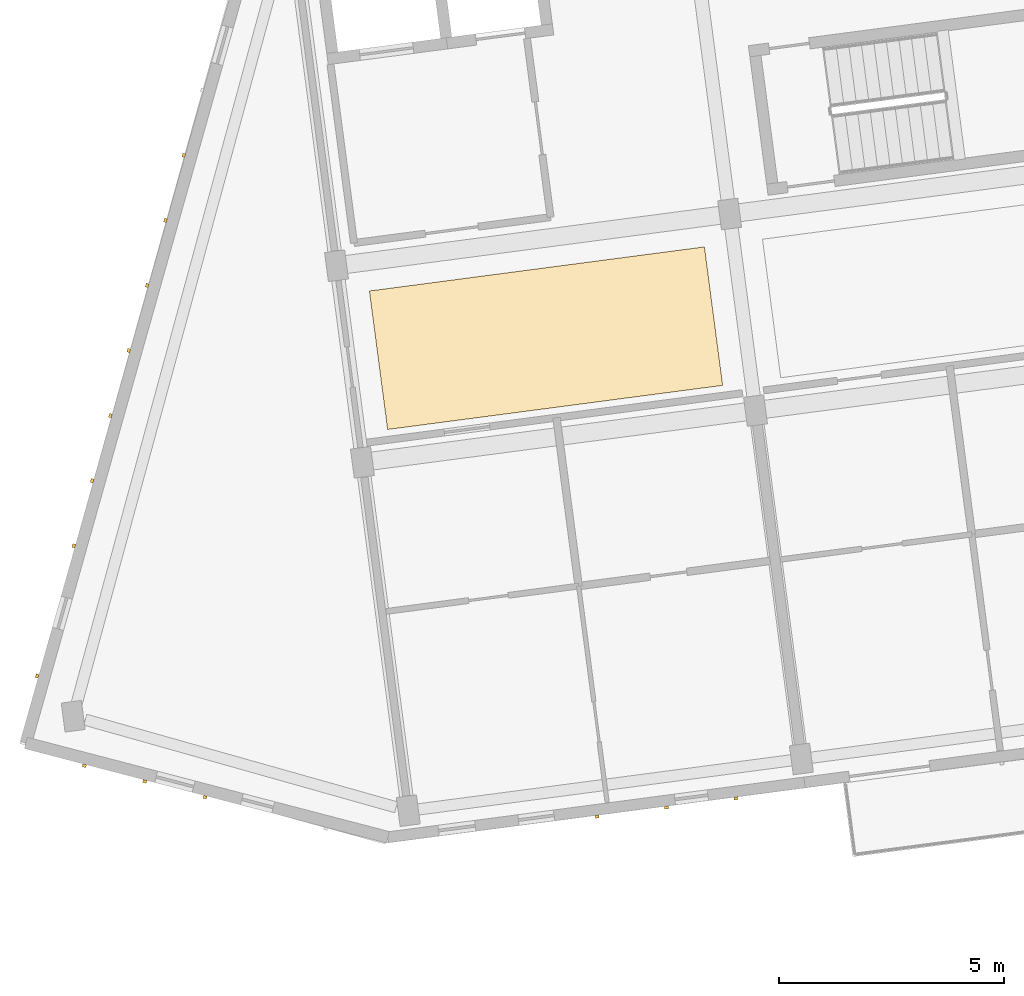
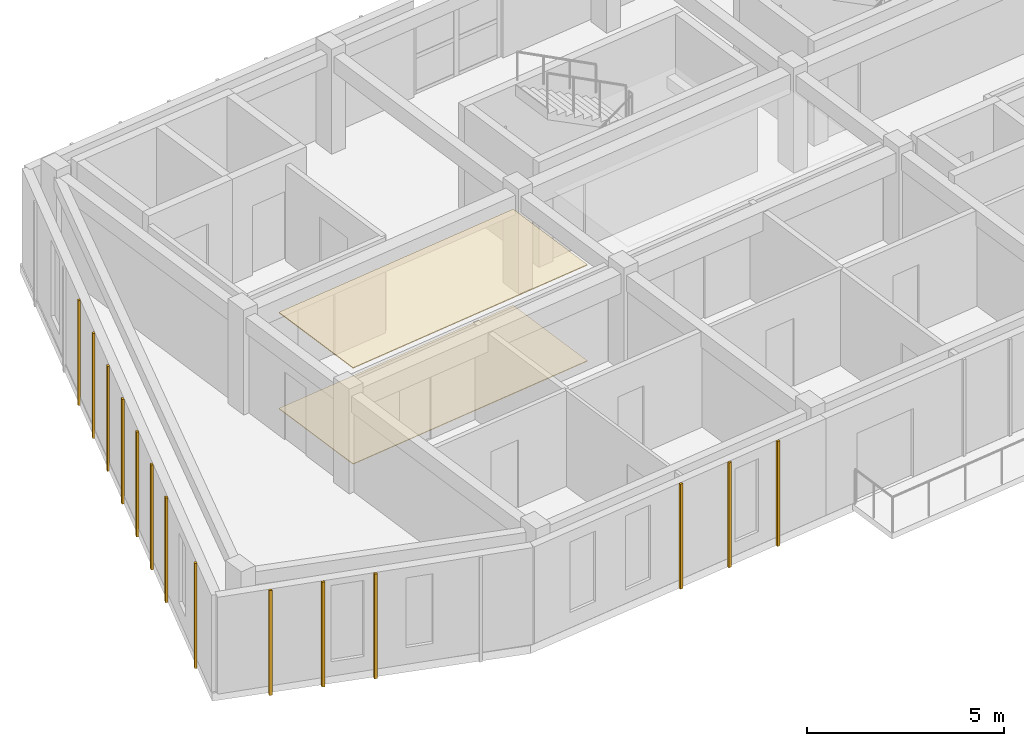
# One storey, part 31 of 45: 16 coverings.
"""IFC4 building model written with IfcOpenShell, lengths in metres."""

from ifc_helpers import new_model, si_unit, direction, frame, origin, origin_2d, place, context, subcontext, project, spatial, polyline, rectangle, outline, extrude, material, layer, layer_set, type_object, element, save


model = new_model("IFC4")

# Units and contexts
model_context = context("Model", 3, precision=1e-05, world=origin(), true_north=direction((0.0, 1.0)))
body_context = subcontext(model_context, "Body", "Model", "MODEL_VIEW")
ifc_project = project(units=[si_unit("LENGTHUNIT", "METRE"), si_unit("AREAUNIT", "SQUARE_METRE"), si_unit("VOLUMEUNIT", "CUBIC_METRE"), si_unit("PLANEANGLEUNIT", "RADIAN"), si_unit("MASSUNIT", "GRAM", prefix="KILO")], contexts=[model_context])

# Site, building, storey
site_placement = place(None, origin())
site = spatial("IfcSite", under=ifc_project, at=site_placement, CompositionType="ELEMENT")
building_placement = place(site_placement, origin())
building = spatial("IfcBuilding", under=site, at=building_placement, Name="Kestramere Prow Commons", CompositionType="ELEMENT")
storey_placement = place(building_placement, frame((0.0, 0.0, 31.14990234375)))
storey = spatial("IfcBuildingStorey", under=building, at=storey_placement, Name="L09", CompositionType="ELEMENT", Elevation=31.14990234375)

# Coverings
ifc_material_1 = material(Name="Mineral Fibre Acoustic Ceiling Tile")
ifc_layer_1 = layer(ifc_material_1, 0.02490234375)
ifc_layer_set_1 = layer_set([ifc_layer_1], Name="Mineral Fibre Acoustic Ceiling Tile")
covering_type_1 = type_object("IfcCoveringType", Name="COV-CEIL-ACOUSTIC", PredefinedType="CEILING", material=ifc_layer_set_1)
covering_1_placement = place(storey_placement, frame((0.0, 0.0, 2.97509765625)))
element("IfcCovering", 1, at=covering_1_placement, inside=storey, type_object=covering_type_1, Name="Block A L09 Corridor Acoustic Ceiling 1", PredefinedType="CEILING", context=body_context, shape_type="SweptSolid", body=[
    extrude(outline(polyline([(10.741455078125, 80.462646484375), (18.17724609375, 81.44140625), (17.772705078125, 84.514892578125), (10.3369140625, 83.5361328125), (10.741455078125, 80.462646484375)])), origin(), (0.0, 0.0, 1.0), 0.02490234375),
])
ifc_material_2 = material(Name="Weathered Zinc-Titanium Standing-Seam Cladding")
ifc_layer_2 = layer(ifc_material_2, 0.074951171875)
ifc_layer_set_2 = layer_set([ifc_layer_2], Name="Weathered Zinc-Titanium Standing-Seam Cladding")
covering_type_2 = type_object("IfcCoveringType", Name="COV-CLAD-SEAM", PredefinedType="CLADDING", material=ifc_layer_set_2)
for number, where, z_axis, x_axis, name in (
    (2, (18.47216796875, 72.274169921875, -0.25), (0.0, 0.0, 1.0), (-0.991444861374, -0.13052619222, 0.0), "EW-A-L09-S-0 Standing-Seam Rib 1"),
    (3, (16.931396484375, 72.0712890625, -0.25), (0.0, 0.0, 1.0), (-0.991444861374, -0.13052619222, 0.0), "EW-A-L09-S-0 Standing-Seam Rib 2"),
    (4, (15.390625, 71.868408203125, -0.25), (0.0, 0.0, 1.0), (-0.991444861374, -0.13052619222, 0.0), "EW-A-L09-S-0 Standing-Seam Rib 3"),
    (5, (6.6884765625, 72.300537109375, -0.25), (0.0, 0.0, 1.0), (-0.96769817096, 0.252111582281, 0.0), "EW-A-L09-PRW-S Standing-Seam Rib 3"),
    (6, (5.34912109375, 72.649658203125, -0.25), (0.0, 0.0, 1.0), (-0.96769817096, 0.252111582281, 0.0), "EW-A-L09-PRW-S Standing-Seam Rib 4"),
    (7, (4.009521484375, 72.99853515625, -0.25), (0.0, 0.0, 1.0), (-0.96769817096, 0.252111582281, 0.0), "EW-A-L09-PRW-S Standing-Seam Rib 5"),
    (8, (2.96142578125, 74.9931640625, -0.25), (0.0, 0.0, 1.0), (0.271159911526, 0.962534312314, 0.0), "EW-A-L09-PRW-N Standing-Seam Rib 1"),
    (9, (3.775146484375, 77.8818359375, -0.25), (0.0, 0.0, 1.0), (0.271159911526, 0.962534312314, 0.0), "EW-A-L09-PRW-N Standing-Seam Rib 3"),
    (10, (4.18212890625, 79.326171875, -0.25), (0.0, 0.0, 1.0), (0.271159911526, 0.962534312314, 0.0), "EW-A-L09-PRW-N Standing-Seam Rib 4"),
    (11, (4.5888671875, 80.7705078125, -0.25), (0.0, 0.0, 1.0), (0.271159911526, 0.962534312314, 0.0), "EW-A-L09-PRW-N Standing-Seam Rib 5"),
    (12, (4.995849609375, 82.21484375, -0.25), (0.0, 0.0, 1.0), (0.271159911526, 0.962534312314, 0.0), "EW-A-L09-PRW-N Standing-Seam Rib 6"),
    (13, (5.40283203125, 83.6591796875, -0.25), (0.0, 0.0, 1.0), (0.271159911526, 0.962534312314, 0.0), "EW-A-L09-PRW-N Standing-Seam Rib 7"),
    (14, (5.8095703125, 85.103271484375, -0.25), (0.0, 0.0, 1.0), (0.271159911526, 0.962534312314, 0.0), "EW-A-L09-PRW-N Standing-Seam Rib 8"),
    (15, (6.216552734375, 86.547607421875, -0.25), (0.0, 0.0, 1.0), (0.271159911526, 0.962534312314, 0.0), "EW-A-L09-PRW-N Standing-Seam Rib 9"),
):
    element("IfcCovering", number, at=place(storey_placement, frame(where, z_axis=z_axis, x_axis=x_axis)), inside=storey, type_object=covering_type_2, Name=name, PredefinedType="CLADDING", context=body_context, shape_type="SweptSolid", body=[
        extrude(rectangle(XDim=0.0849609375, YDim=0.06494140625, at=origin_2d()), origin(), (0.0, 0.0, 1.0), 3.25),
    ])
ifc_material_3 = material(Name="Honed Cementitious Terrazzo Tile")
ifc_layer_3 = layer(ifc_material_3, 0.02001953125)
ifc_layer_set_3 = layer_set([ifc_layer_3], Name="Honed Cementitious Terrazzo Tile")
covering_type_3 = type_object("IfcCoveringType", Name="COV-FLOOR-TERRAZZO", PredefinedType="FLOORING", material=ifc_layer_set_3)
covering_2_placement = place(storey_placement, origin())
element("IfcCovering", 16, at=covering_2_placement, inside=storey, type_object=covering_type_3, Name="Block A L09 Corridor Terrazzo Flooring 1", PredefinedType="FLOORING", context=body_context, shape_type="SweptSolid", body=[
    extrude(outline(polyline([(10.741455078125, 80.462646484375), (18.17724609375, 81.44140625), (17.772705078125, 84.514892578125), (10.3369140625, 83.5361328125), (10.741455078125, 80.462646484375)])), origin(), (0.0, 0.0, 1.0), 0.02001953125),
])

save(model, "model.ifc")
